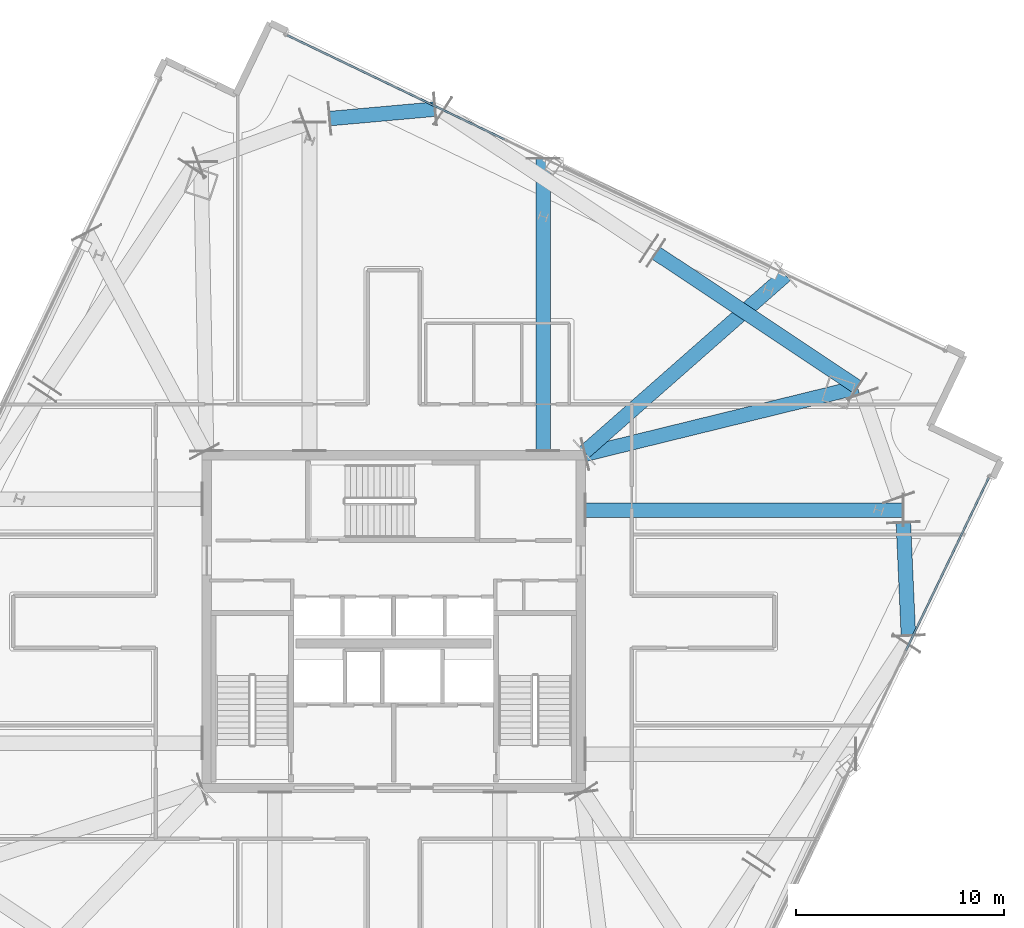
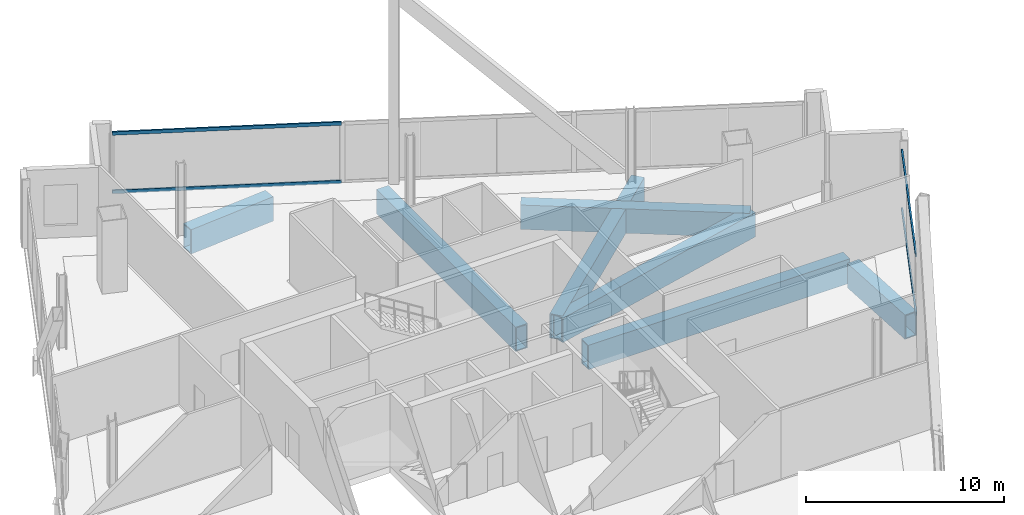
# One storey, part 12 of 24: 7 beams, 4 members, 2 elements without a shape of their own.
"""IFC4 building model written with IfcOpenShell, lengths in metres."""

from ifc_helpers import new_model, si_unit, direction, frame, origin, origin_2d, place, context, subcontext, project, spatial, hollow_rectangle, extrude, material, material_profile, profile_set, type_object, element, aggregate, save


model = new_model("IFC4")

# Units and contexts
model_context = context("Model", 3, precision=1e-05, world=origin(), true_north=direction((0.0, 1.0)))
body_context = subcontext(model_context, "Body", "Model", "MODEL_VIEW")
ifc_project = project(units=[si_unit("LENGTHUNIT", "METRE"), si_unit("AREAUNIT", "SQUARE_METRE"), si_unit("VOLUMEUNIT", "CUBIC_METRE"), si_unit("PLANEANGLEUNIT", "RADIAN"), si_unit("MASSUNIT", "GRAM", prefix="KILO")], contexts=[model_context])

# Site, building, storey
site_placement = place(None, origin())
site = spatial("IfcSite", under=ifc_project, at=site_placement, CompositionType="ELEMENT")
building_placement = place(site_placement, origin())
building = spatial("IfcBuilding", under=site, at=building_placement, Name="Haldenkirk Collegiate Tower", CompositionType="ELEMENT")
storey_placement = place(building_placement, frame((0.0, 0.0, 244.199951171875)))
storey = spatial("IfcBuildingStorey", under=building, at=storey_placement, Name="L61", CompositionType="ELEMENT", Elevation=244.199951171875)

# Beams
ifc_material_1 = material(Name="Steel ASTM A572 Grade 50", Category="steel")
ifc_material_profile_1 = material_profile(ifc_material_1, hollow_rectangle(XDim=0.699951171875, YDim=1.5, WallThickness=0.06005859375, at=origin_2d()), Name="BOX1500X700X60")
ifc_profile_set_1 = profile_set([ifc_material_profile_1], Name="Steel ASTM A572 Grade 50")
beam_type = type_object("IfcBeamType", Name="BM-TRANSFER-BOX1500X700X60", PredefinedType="BEAM", material=ifc_profile_set_1)
beam_1_placement = place(storey_placement, frame((60.756103515625, 25.34326171875, -1.14990234375), z_axis=(-0.044622535616, 0.999003918569, 0.0), x_axis=(-0.999003918569, -0.044622535616, 0.0)))
element("IfcBeam", 1, at=beam_1_placement, inside=storey, type_object=beam_type, Name="L61 sky-lobby perimeter transfer girder 04", PredefinedType="BEAM", context=body_context, shape_type="SweptSolid", body=[
    extrude(hollow_rectangle(XDim=0.699951171875, YDim=1.5, WallThickness=0.06005859375, at=origin_2d()), origin(), (0.0, 0.0, 1.0), 5.41650390625),
])
beam_2_placement = place(storey_placement, frame((58.30029296875, 37.28369140625, -1.14990234375), z_axis=(-0.832431545828, 0.554127892738, 0.0), x_axis=(-0.554127892738, -0.832431545828, 0.0)))
element("IfcBeam", 2, at=beam_2_placement, inside=storey, type_object=beam_type, Name="L61 sky-lobby perimeter transfer girder 06", PredefinedType="BEAM", context=body_context, shape_type="SweptSolid", body=[
    extrude(hollow_rectangle(XDim=0.699951171875, YDim=1.5, WallThickness=0.06005859375, at=origin_2d()), origin(), (0.0, 0.0, 1.0), 11.619140625),
])
beam_3_placement = place(storey_placement, frame((37.9765625, 50.649169921875, -1.14990234375), z_axis=(-0.996001224794, -0.089339578066, 0.0), x_axis=(0.089339578066, -0.996001224794, 0.0)))
element("IfcBeam", 3, at=beam_3_placement, inside=storey, type_object=beam_type, Name="L61 sky-lobby perimeter transfer girder 08", PredefinedType="BEAM", context=body_context, shape_type="SweptSolid", body=[
    extrude(hollow_rectangle(XDim=0.699951171875, YDim=1.5, WallThickness=0.06005859375, at=origin_2d()), origin(), (0.0, 0.0, 1.0), 5.06103515625),
])
beam_4_placement = place(storey_placement, frame((58.3203125, 37.2705078125, -1.14990234375), z_axis=(-0.971153046593, -0.238457040353, 0.0), x_axis=(0.238457040353, -0.971153046593, 0.0)))
element("IfcBeam", 4, at=beam_4_placement, inside=storey, type_object=beam_type, Name="L61 sky-lobby radial transfer girder 02", PredefinedType="BEAM", context=body_context, shape_type="SweptSolid", body=[
    extrude(hollow_rectangle(XDim=0.699951171875, YDim=1.5, WallThickness=0.06005859375, at=origin_2d()), origin(), (0.0, 0.0, 1.0), 13.48583984375),
])
beam_5_placement = place(storey_placement, frame((60.4873046875, 31.360107421875, -1.14990234375), z_axis=(-1.0, 0.0, 0.0), x_axis=(0.0, -1.0, 0.0)))
element("IfcBeam", 5, at=beam_5_placement, inside=storey, type_object=beam_type, Name="L61 sky-lobby radial transfer girder 07", PredefinedType="BEAM", context=body_context, shape_type="SweptSolid", body=[
    extrude(hollow_rectangle(XDim=0.699951171875, YDim=1.5, WallThickness=0.06005859375, at=origin_2d()), origin(), (0.0, 0.0, 1.0), 15.25732421875),
])
beam_6_placement = place(storey_placement, frame((54.852294921875, 42.670654296875, -1.14990234375), z_axis=(-0.750696989948, -0.660646675072, 0.0), x_axis=(0.660646675072, -0.750696989948, 0.0)))
element("IfcBeam", 6, at=beam_6_placement, inside=storey, type_object=beam_type, Name="L61 sky-lobby radial transfer girder 08", PredefinedType="BEAM", context=body_context, shape_type="SweptSolid", body=[
    extrude(hollow_rectangle(XDim=0.699951171875, YDim=1.5, WallThickness=0.06005859375, at=origin_2d()), origin(), (0.0, 0.0, 1.0), 12.894287109375),
])
beam_7_placement = place(storey_placement, frame((43.18994140625, 48.25830078125, -1.14990234375), z_axis=(0.0, -1.0, 0.0), x_axis=(1.0, 0.0, 0.0)))
element("IfcBeam", 7, at=beam_7_placement, inside=storey, type_object=beam_type, Name="L61 sky-lobby radial transfer girder 09", PredefinedType="BEAM", context=body_context, shape_type="SweptSolid", body=[
    extrude(hollow_rectangle(XDim=0.699951171875, YDim=1.5, WallThickness=0.06005859375, at=origin_2d()), origin(), (0.0, 0.0, 1.0), 14.0283203125),
])

# Curtain wall, members
ifc_material_2 = material(Name="Anodised architectural bronze aluminium", Category="aluminium")
curtain_wall_type = type_object("IfcCurtainWallType", Name="CW-SYS4-SKYGARDEN", PredefinedType="USERDEFINED", material=ifc_material_2)
curtain_wall_1_placement = place(storey_placement, origin())
curtain_wall_1 = element("IfcCurtainWall", 8, at=curtain_wall_1_placement, inside=storey, type_object=curtain_wall_type, Name="L61 Sky-garden tall bronze curtain wall", ObjectType="UNITISED CURTAIN WALL", PredefinedType="USERDEFINED")
ifc_material_profile_2 = material_profile(ifc_material_2, hollow_rectangle(XDim=0.090087890625, YDim=0.2099609375, WallThickness=0.0048828125, at=origin_2d()), Name="CW-TRN-04")
ifc_profile_set_2 = profile_set([ifc_material_profile_2], Name="Anodised architectural bronze aluminium")
member_type = type_object("IfcMemberType", Name="CW-TRN-04", PredefinedType="USERDEFINED", material=ifc_profile_set_2)
member_1_placement = place(storey_placement, frame((64.620849609375, 32.9228515625, 0.045166015625), z_axis=(-0.432091002178, -0.90183000939, 0.0), x_axis=(0.90183000939, -0.432091002178, 0.0)))
member_1 = element("IfcMember", 9, at=member_1_placement, type_object=member_type, Name="CW-04 transom 1.1", ObjectType="TRANSOM", PredefinedType="USERDEFINED", context=body_context, shape_type="SweptSolid", body=[
    extrude(hollow_rectangle(XDim=0.090087890625, YDim=0.2099609375, WallThickness=0.0048828125, at=origin_2d()), origin(), (0.0, 0.0, 1.0), 9.21484375),
])
member_2_placement = place(storey_placement, frame((64.620849609375, 32.9228515625, 3.64306640625), z_axis=(-0.432091002178, -0.90183000939, 0.0), x_axis=(0.90183000939, -0.432091002178, 0.0)))
member_2 = element("IfcMember", 10, at=member_2_placement, type_object=member_type, Name="CW-04 transom 1.2", ObjectType="TRANSOM", PredefinedType="USERDEFINED", context=body_context, shape_type="SweptSolid", body=[
    extrude(hollow_rectangle(XDim=0.090087890625, YDim=0.2099609375, WallThickness=0.0048828125, at=origin_2d()), origin(), (0.0, 0.0, 1.0), 9.21484375),
])
aggregate(curtain_wall_1, [member_1, member_2])

curtain_wall_2_placement = place(storey_placement, origin())
curtain_wall_2 = element("IfcCurtainWall", 11, at=curtain_wall_2_placement, inside=storey, type_object=curtain_wall_type, Name="L61 Sky-garden tall bronze curtain wall", ObjectType="UNITISED CURTAIN WALL", PredefinedType="USERDEFINED")
member_3_placement = place(storey_placement, frame((30.873046875, 54.203857421875, 0.045166015625), z_axis=(0.901835851111, -0.432078809536, 0.0), x_axis=(0.432078809536, 0.901835851111, 0.0)))
member_3 = element("IfcMember", 12, at=member_3_placement, type_object=member_type, Name="CW-04 transom 1.1", ObjectType="TRANSOM", PredefinedType="USERDEFINED", context=body_context, shape_type="SweptSolid", body=[
    extrude(hollow_rectangle(XDim=0.090087890625, YDim=0.2099609375, WallThickness=0.0048828125, at=origin_2d()), origin(), (0.0, 0.0, 1.0), 11.5986328125),
])
member_4_placement = place(storey_placement, frame((30.873046875, 54.203857421875, 3.64306640625), z_axis=(0.901835851111, -0.432078809536, 0.0), x_axis=(0.432078809536, 0.901835851111, 0.0)))
member_4 = element("IfcMember", 13, at=member_4_placement, type_object=member_type, Name="CW-04 transom 1.2", ObjectType="TRANSOM", PredefinedType="USERDEFINED", context=body_context, shape_type="SweptSolid", body=[
    extrude(hollow_rectangle(XDim=0.090087890625, YDim=0.2099609375, WallThickness=0.0048828125, at=origin_2d()), origin(), (0.0, 0.0, 1.0), 11.5986328125),
])
aggregate(curtain_wall_2, [member_3, member_4])

save(model, "model.ifc")
